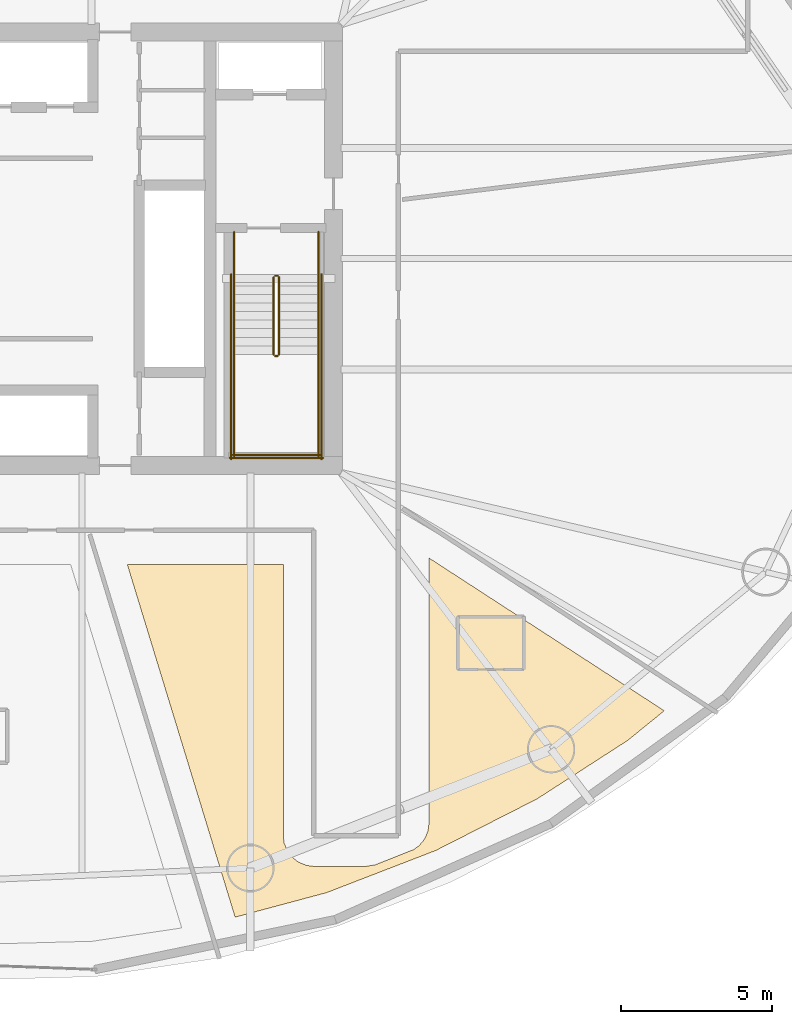
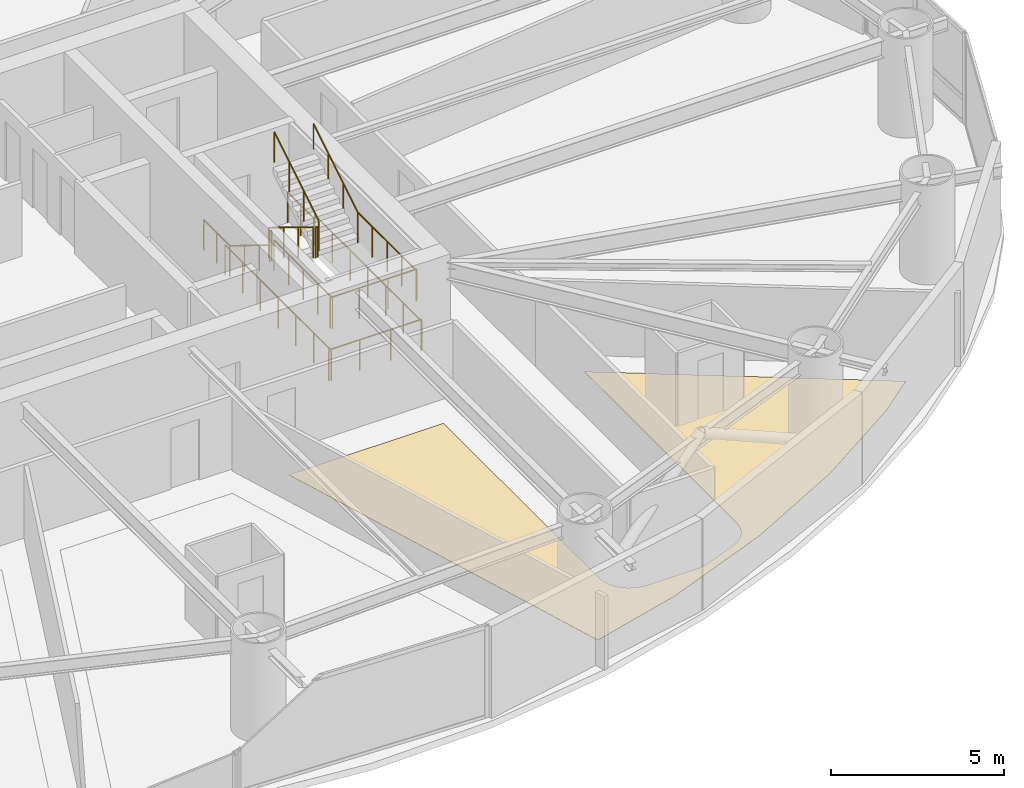
# One storey, part 26 of 27: 14 railings, 1 covering.
"""IFC4 building model written with IfcOpenShell, lengths in metres."""

from ifc_helpers import new_model, si_unit, direction, frame, origin, origin_2d, place, context, subcontext, project, spatial, polyline, circle, outline, extrude, material, layer, layer_set, type_object, element, save


model = new_model("IFC4")

# Units and contexts
model_context = context("Model", 3, precision=1e-05, world=origin(), true_north=direction((0.0, 1.0)))
body_context = subcontext(model_context, "Body", "Model", "MODEL_VIEW")
ifc_project = project(units=[si_unit("LENGTHUNIT", "METRE"), si_unit("AREAUNIT", "SQUARE_METRE"), si_unit("VOLUMEUNIT", "CUBIC_METRE"), si_unit("PLANEANGLEUNIT", "RADIAN"), si_unit("MASSUNIT", "GRAM", prefix="KILO")], contexts=[model_context])

# Site, building, storey
site_placement = place(None, origin())
site = spatial("IfcSite", under=ifc_project, at=site_placement, CompositionType="ELEMENT")
building_placement = place(site_placement, origin())
building = spatial("IfcBuilding", under=site, at=building_placement, Name="Bramvorn Convention Spire", CompositionType="ELEMENT")
storey_placement = place(building_placement, frame((0.0, 0.0, 72.89990234375)))
storey = spatial("IfcBuildingStorey", under=building, at=storey_placement, Name="L16", CompositionType="ELEMENT", Elevation=72.89990234375)

# Covering
ifc_material_1 = material(Name="Solution-Dyed Wool Broadloom Hospitality Carpet", Category="textile")
ifc_layer = layer(ifc_material_1, 0.014892578125)
ifc_layer_set = layer_set([ifc_layer], Name="Solution-Dyed Wool Broadloom Hospitality Carpet - FLR-CARPET-15")
covering_type = type_object("IfcCoveringType", Name="FLR-CARPET-15", PredefinedType="FLOORING", material=ifc_layer_set)
covering_placement = place(storey_placement, origin())
element("IfcCovering", 1, at=covering_placement, inside=storey, type_object=covering_type, Name="Hotel Suite 1608 wool broadloom carpet", PredefinedType="FLOORING", context=body_context, shape_type="SweptSolid", body=[
    extrude(outline(polyline([(52.169921875, 6.920166015625), (52.139404296875, 6.67333984375), (52.070556640625, 6.481201171875), (51.96484375, 6.306884765625), (51.826416015625, 6.156982421875), (51.660888671875, 6.03759765625), (50.390625, 5.534423828125), (50.06201171875, 5.47998046875), (48.35009765625, 5.47998046875), (48.096435546875, 5.51220703125), (47.820556640625, 5.62841796875), (47.598388671875, 5.810791015625), (47.47216796875, 5.980712890625), (47.362060546875, 6.24658203125), (47.330078125, 6.5), (47.330078125, 15.5), (42.1513671875, 15.5), (45.73046875, 3.79296875), (48.77001953125, 4.607177734375), (52.400390625, 6.009521484375), (55.756103515625, 7.718017578125), (58.7685546875, 9.662353515625), (59.9853515625, 10.6494140625), (52.169921875, 15.724853515625), (52.169921875, 6.920166015625)])), origin(), (0.0, 0.0, 1.0), 0.01513671875),
])

# Railings
ifc_material_2 = material(Name="Painted Steel Balustrade & Guardrail", Category="steel")
railing_type_1 = type_object("IfcRailingType", Name="RL-STAIR-GUARD-1100", PredefinedType="GUARDRAIL", material=ifc_material_2)
railing_1_placement = place(storey_placement, frame((47.010009765625, 25.050048828125, 0.175048828125)))
element("IfcRailing", 2, at=railing_1_placement, inside=storey, type_object=railing_type_1, Name="L16 ST2 stair guard 1", PredefinedType="GUARDRAIL", context=body_context, shape_type="SweptSolid", body=[
    extrude(circle(Radius=0.02392578125, at=origin_2d()), frame((0.0, 0.0, 1.076171875), z_axis=(0.0, -0.852173129349, 0.523259933127), x_axis=(1.0, 0.0, 0.0)), (0.0, 0.0, 1.0), 3.009765625),
    extrude(circle(Radius=0.02099609375, at=origin_2d()), origin(), (0.0, 0.0, 1.0), 1.052001953125),
    extrude(circle(Radius=0.02099609375, at=origin_2d()), frame((0.0, -0.85498046875, 0.52490234375)), (0.0, 0.0, 1.0), 1.052001953125),
    extrude(circle(Radius=0.02099609375, at=origin_2d()), frame((0.0, -1.7099609375, 1.050048828125)), (0.0, 0.0, 1.0), 1.052001953125),
    extrude(circle(Radius=0.02099609375, at=origin_2d()), frame((0.0, -2.56494140625, 1.574951171875)), (0.0, 0.0, 1.0), 1.052001953125),
])
railing_2_placement = place(storey_placement, frame((47.06005859375, 22.43505859375, 1.75)))
element("IfcRailing", 3, at=railing_2_placement, inside=storey, type_object=railing_type_1, Name="L16 ST2 stair guard 2", PredefinedType="GUARDRAIL", context=body_context, shape_type="SweptSolid", body=[
    extrude(circle(Radius=0.02392578125, at=origin_2d()), frame((0.0, 0.0, 1.076171875), z_axis=(1.0, 0.0, 0.0), x_axis=(0.0, 1.0, 0.0)), (0.0, 0.0, 1.0), 0.079833984375),
    extrude(circle(Radius=0.02099609375, at=origin_2d()), origin(), (0.0, 0.0, 1.0), 1.052001953125),
    extrude(circle(Radius=0.02099609375, at=origin_2d()), frame((0.079833984375, 0.0, 0.0)), (0.0, 0.0, 1.0), 1.052001953125),
])
for number, where, name in (
    (4, (45.699951171875, 22.485107421875, 1.75), "L16 ST2 stair guard 3"),
    (5, (48.5, 22.485107421875, 1.75), "L16 ST2 stair guard 4"),
):
    element("IfcRailing", number, at=place(storey_placement, frame(where)), inside=storey, type_object=railing_type_1, Name=name, PredefinedType="GUARDRAIL", context=body_context, shape_type="SweptSolid", body=[
        extrude(circle(Radius=0.02392578125, at=origin_2d()), frame((0.0, 0.0, 1.076171875), z_axis=(0.0, -1.0, 0.0), x_axis=(1.0, 0.0, 0.0)), (0.0, 0.0, 1.0), 3.385009765625),
        extrude(circle(Radius=0.02099609375, at=origin_2d()), origin(), (0.0, 0.0, 1.0), 1.052001953125),
        extrude(circle(Radius=0.02099609375, at=origin_2d()), frame((0.0, -0.84619140625, 0.0)), (0.0, 0.0, 1.0), 1.052001953125),
        extrude(circle(Radius=0.02099609375, at=origin_2d()), frame((0.0, -1.6923828125, 0.0)), (0.0, 0.0, 1.0), 1.052001953125),
        extrude(circle(Radius=0.02099609375, at=origin_2d()), frame((0.0, -2.538818359375, 0.0)), (0.0, 0.0, 1.0), 1.052001953125),
        extrude(circle(Radius=0.02099609375, at=origin_2d()), frame((0.0, -3.385009765625, 0.0)), (0.0, 0.0, 1.0), 1.052001953125),
    ])
railing_3_placement = place(storey_placement, frame((45.64990234375, 19.14990234375, 1.75)))
element("IfcRailing", 6, at=railing_3_placement, inside=storey, type_object=railing_type_1, Name="L16 ST2 stair guard 5", PredefinedType="GUARDRAIL", context=body_context, shape_type="SweptSolid", body=[
    extrude(circle(Radius=0.02392578125, at=origin_2d()), frame((0.0, 0.0, 1.076171875), z_axis=(1.0, 0.0, 0.0), x_axis=(0.0, 1.0, 0.0)), (0.0, 0.0, 1.0), 2.900146484375),
    extrude(circle(Radius=0.02099609375, at=origin_2d()), origin(), (0.0, 0.0, 1.0), 1.052001953125),
    extrude(circle(Radius=0.02099609375, at=origin_2d()), frame((0.966796875, 0.0, 0.0)), (0.0, 0.0, 1.0), 1.052001953125),
    extrude(circle(Radius=0.02099609375, at=origin_2d()), frame((1.933349609375, 0.0, 0.0)), (0.0, 0.0, 1.0), 1.052001953125),
    extrude(circle(Radius=0.02099609375, at=origin_2d()), frame((2.900146484375, 0.0, 0.0)), (0.0, 0.0, 1.0), 1.052001953125),
])
railing_4_placement = place(storey_placement, frame((47.18994140625, 22.485107421875, 1.925048828125)))
element("IfcRailing", 7, at=railing_4_placement, inside=storey, type_object=railing_type_1, Name="L16 ST2 stair guard 6", PredefinedType="GUARDRAIL", context=body_context, shape_type="SweptSolid", body=[
    extrude(circle(Radius=0.02392578125, at=origin_2d()), frame((0.0, 0.0, 1.076171875), z_axis=(0.0, 0.852173129349, 0.523259933127), x_axis=(-1.0, 0.0, 0.0)), (0.0, 0.0, 1.0), 3.009765625),
    extrude(circle(Radius=0.02099609375, at=origin_2d()), origin(), (0.0, 0.0, 1.0), 1.052001953125),
    extrude(circle(Radius=0.02099609375, at=origin_2d()), frame((0.0, 0.85498046875, 0.52490234375)), (0.0, 0.0, 1.0), 1.052001953125),
    extrude(circle(Radius=0.02099609375, at=origin_2d()), frame((0.0, 1.7099609375, 1.050048828125)), (0.0, 0.0, 1.0), 1.052001953125),
    extrude(circle(Radius=0.02099609375, at=origin_2d()), frame((0.0, 2.56494140625, 1.574951171875)), (0.0, 0.0, 1.0), 1.052001953125),
])
railing_5_placement = place(storey_placement, frame((47.06005859375, 25.10009765625, 0.0)))
element("IfcRailing", 8, at=railing_5_placement, inside=storey, type_object=railing_type_1, Name="L16 ST2 stair guard 7", PredefinedType="GUARDRAIL", context=body_context, shape_type="SweptSolid", body=[
    extrude(circle(Radius=0.02392578125, at=origin_2d()), frame((0.0, 0.0, 1.076171875), z_axis=(1.0, 0.0, 0.0), x_axis=(0.0, 1.0, 0.0)), (0.0, 0.0, 1.0), 0.079833984375),
    extrude(circle(Radius=0.02099609375, at=origin_2d()), origin(), (0.0, 0.0, 1.0), 1.052001953125),
    extrude(circle(Radius=0.02099609375, at=origin_2d()), frame((0.079833984375, 0.0, 0.0)), (0.0, 0.0, 1.0), 1.052001953125),
])
for number, where, name in (
    (9, (45.699951171875, 26.550048828125, 0.0), "L16 ST2 stair guard 8"),
    (10, (48.5, 26.550048828125, 0.0), "L16 ST2 stair guard 9"),
):
    element("IfcRailing", number, at=place(storey_placement, frame(where)), inside=storey, type_object=railing_type_1, Name=name, PredefinedType="GUARDRAIL", context=body_context, shape_type="SweptSolid", body=[
        extrude(circle(Radius=0.02392578125, at=origin_2d()), frame((0.0, 0.0, 1.076171875), z_axis=(0.0, -1.0, 0.0), x_axis=(1.0, 0.0, 0.0)), (0.0, 0.0, 1.0), 1.5),
        extrude(circle(Radius=0.02099609375, at=origin_2d()), origin(), (0.0, 0.0, 1.0), 1.052001953125),
        extrude(circle(Radius=0.02099609375, at=origin_2d()), frame((0.0, -0.75, 0.0)), (0.0, 0.0, 1.0), 1.052001953125),
        extrude(circle(Radius=0.02099609375, at=origin_2d()), frame((0.0, -1.5, 0.0)), (0.0, 0.0, 1.0), 1.052001953125),
    ])
for number, where, name in (
    (11, (45.60009765625, 25.14990234375, 0.0), "L16 ST2 stair guard 10"),
    (12, (48.60009765625, 25.14990234375, 0.0), "L16 ST2 stair guard 11"),
):
    element("IfcRailing", number, at=place(storey_placement, frame(where)), inside=storey, type_object=railing_type_1, Name=name, PredefinedType="GUARDRAIL", context=body_context, shape_type="SweptSolid", body=[
        extrude(circle(Radius=0.02392578125, at=origin_2d()), frame((0.0, 0.0, 1.076171875), z_axis=(0.0, -1.0, 0.0), x_axis=(1.0, 0.0, 0.0)), (0.0, 0.0, 1.0), 6.14990234375),
        extrude(circle(Radius=0.02099609375, at=origin_2d()), origin(), (0.0, 0.0, 1.0), 1.052001953125),
        extrude(circle(Radius=0.02099609375, at=origin_2d()), frame((0.0, -1.02490234375, 0.0)), (0.0, 0.0, 1.0), 1.052001953125),
        extrude(circle(Radius=0.02099609375, at=origin_2d()), frame((0.0, -2.050048828125, 0.0)), (0.0, 0.0, 1.0), 1.052001953125),
        extrude(circle(Radius=0.02099609375, at=origin_2d()), frame((0.0, -3.074951171875, 0.0)), (0.0, 0.0, 1.0), 1.052001953125),
        extrude(circle(Radius=0.02099609375, at=origin_2d()), frame((0.0, -4.099853515625, 0.0)), (0.0, 0.0, 1.0), 1.052001953125),
        extrude(circle(Radius=0.02099609375, at=origin_2d()), frame((0.0, -5.125, 0.0)), (0.0, 0.0, 1.0), 1.052001953125),
        extrude(circle(Radius=0.02099609375, at=origin_2d()), frame((0.0, -6.14990234375, 0.0)), (0.0, 0.0, 1.0), 1.052001953125),
    ])
railing_6_placement = place(storey_placement, frame((45.550048828125, 19.050048828125, 0.0)))
element("IfcRailing", 13, at=railing_6_placement, inside=storey, type_object=railing_type_1, Name="L16 ST2 stair guard 12", PredefinedType="GUARDRAIL", context=body_context, shape_type="SweptSolid", body=[
    extrude(circle(Radius=0.02392578125, at=origin_2d()), frame((0.0, 0.0, 1.076171875), z_axis=(1.0, 0.0, 0.0), x_axis=(0.0, 1.0, 0.0)), (0.0, 0.0, 1.0), 3.099853515625),
    extrude(circle(Radius=0.02099609375, at=origin_2d()), origin(), (0.0, 0.0, 1.0), 1.052001953125),
    extrude(circle(Radius=0.02099609375, at=origin_2d()), frame((1.033203125, 0.0, 0.0)), (0.0, 0.0, 1.0), 1.052001953125),
    extrude(circle(Radius=0.02099609375, at=origin_2d()), frame((2.066650390625, 0.0, 0.0)), (0.0, 0.0, 1.0), 1.052001953125),
    extrude(circle(Radius=0.02099609375, at=origin_2d()), frame((3.099853515625, 0.0, 0.0)), (0.0, 0.0, 1.0), 1.052001953125),
])
ifc_material_3 = material(Name="Brushed Bronze Tubular Handrail", Category="aluminium")
railing_type_2 = type_object("IfcRailingType", Name="RL-STAIR-HR-920", PredefinedType="HANDRAIL", material=ifc_material_3)
railing_7_placement = place(storey_placement, frame((45.699951171875, 25.050048828125, 0.175048828125)))
element("IfcRailing", 14, at=railing_7_placement, inside=storey, type_object=railing_type_2, Name="L16 ST2 stair handrail 1", PredefinedType="HANDRAIL", context=body_context, shape_type="SweptSolid", body=[
    extrude(circle(Radius=0.02392578125, at=origin_2d()), frame((0.0, 0.0, 0.89599609375), z_axis=(0.0, -0.852173129349, 0.523259933127), x_axis=(1.0, 0.0, 0.0)), (0.0, 0.0, 1.0), 3.009765625),
    extrude(circle(Radius=0.02099609375, at=origin_2d()), origin(), (0.0, 0.0, 1.0), 0.871826171875),
    extrude(circle(Radius=0.02099609375, at=origin_2d()), frame((0.0, -0.85498046875, 0.52490234375)), (0.0, 0.0, 1.0), 0.871826171875),
    extrude(circle(Radius=0.02099609375, at=origin_2d()), frame((0.0, -1.7099609375, 1.050048828125)), (0.0, 0.0, 1.0), 0.871826171875),
    extrude(circle(Radius=0.02099609375, at=origin_2d()), frame((0.0, -2.56494140625, 1.574951171875)), (0.0, 0.0, 1.0), 0.871826171875),
])
railing_8_placement = place(storey_placement, frame((48.5, 22.485107421875, 1.925048828125)))
element("IfcRailing", 15, at=railing_8_placement, inside=storey, type_object=railing_type_2, Name="L16 ST2 stair handrail 2", PredefinedType="HANDRAIL", context=body_context, shape_type="SweptSolid", body=[
    extrude(circle(Radius=0.02392578125, at=origin_2d()), frame((0.0, 0.0, 0.89599609375), z_axis=(0.0, 0.852173129349, 0.523259933127), x_axis=(-1.0, 0.0, 0.0)), (0.0, 0.0, 1.0), 3.009765625),
    extrude(circle(Radius=0.02099609375, at=origin_2d()), origin(), (0.0, 0.0, 1.0), 0.871826171875),
    extrude(circle(Radius=0.02099609375, at=origin_2d()), frame((0.0, 0.85498046875, 0.52490234375)), (0.0, 0.0, 1.0), 0.871826171875),
    extrude(circle(Radius=0.02099609375, at=origin_2d()), frame((0.0, 1.7099609375, 1.050048828125)), (0.0, 0.0, 1.0), 0.871826171875),
    extrude(circle(Radius=0.02099609375, at=origin_2d()), frame((0.0, 2.56494140625, 1.574951171875)), (0.0, 0.0, 1.0), 0.871826171875),
])

save(model, "model.ifc")
